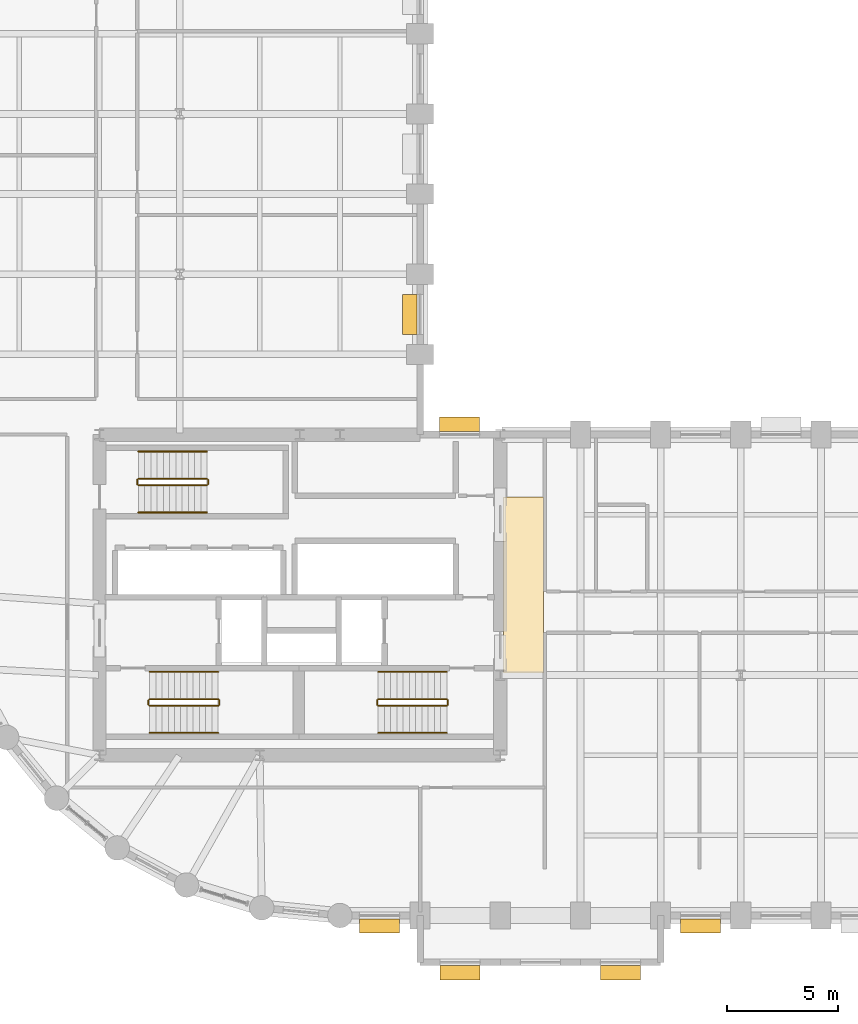
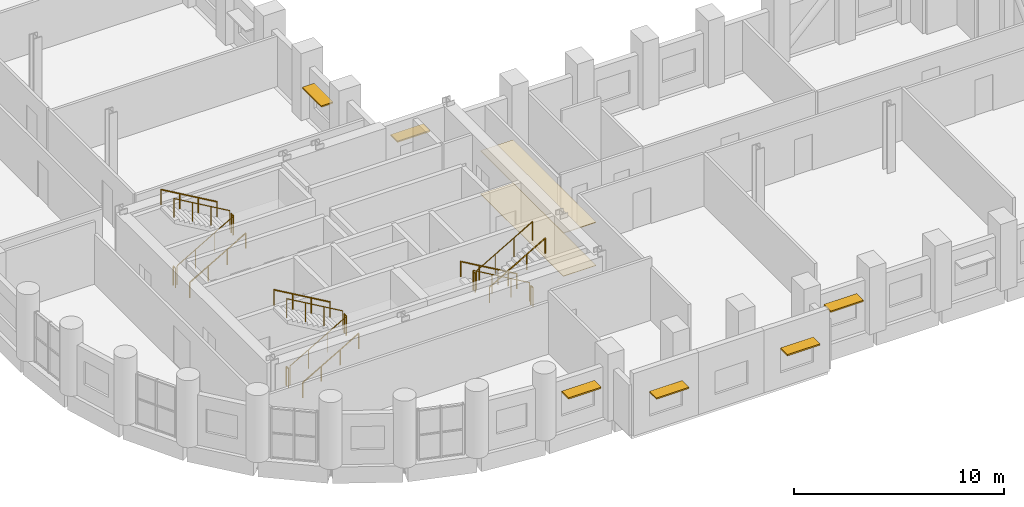
# One storey, part 13 of 14: 18 railings, 6 shading devices, 2 coverings.
"""IFC4 building model written with IfcOpenShell, lengths in metres."""

from ifc_helpers import new_model, si_unit, direction, frame, origin, origin_2d, place, context, subcontext, project, spatial, polyline, rectangle, circle, outline, extrude, material, layer, layer_set, type_object, element, save


model = new_model("IFC4")

# Units and contexts
model_context = context("Model", 3, precision=1e-05, world=origin(), true_north=direction((0.0, 1.0)))
body_context = subcontext(model_context, "Body", "Model", "MODEL_VIEW")
ifc_project = project(units=[si_unit("LENGTHUNIT", "METRE"), si_unit("AREAUNIT", "SQUARE_METRE"), si_unit("VOLUMEUNIT", "CUBIC_METRE"), si_unit("PLANEANGLEUNIT", "RADIAN"), si_unit("MASSUNIT", "GRAM", prefix="KILO")], contexts=[model_context])

# Site, building, storey
site_placement = place(None, origin())
site = spatial("IfcSite", under=ifc_project, at=site_placement, CompositionType="ELEMENT")
building_placement = place(site_placement, origin())
building = spatial("IfcBuilding", under=site, at=building_placement, Name="Solnavia Interchange Tower", CompositionType="ELEMENT")
storey_placement = place(building_placement, frame((0.0, 0.0, 63.0)))
storey = spatial("IfcBuildingStorey", under=building, at=storey_placement, Name="L15", CompositionType="ELEMENT", Elevation=63.0)

# Coverings
ifc_material_1 = material(Name="Perforated Mineral-Fibre & Gypsum Ceiling", Category="gypsum")
ifc_layer_1 = layer(ifc_material_1, 0.0400390625)
ifc_layer_set_1 = layer_set([ifc_layer_1], Name="Perforated Mineral-Fibre & Gypsum Ceiling")
covering_type_1 = type_object("IfcCoveringType", Name="Covering-Ceiling-Acoustic40", PredefinedType="CEILING", material=ifc_layer_set_1)
covering_1_placement = place(storey_placement, frame((0.0, 0.0, 2.5)))
element("IfcCovering", 1, at=covering_1_placement, inside=storey, type_object=covering_type_1, Name="CLG-L15-01 Circulation suspended acoustic ceiling", PredefinedType="CEILING", context=body_context, shape_type="SweptSolid", body=[
    extrude(outline(polyline([(32.550048828125, 14.5), (34.35009765625, 14.5), (34.35009765625, 22.39990234375), (32.550048828125, 22.39990234375), (32.550048828125, 14.5)])), origin(), (0.0, 0.0, 1.0), 0.0400390625),
])
ifc_material_2 = material(Name="Polished Alicante Stone Terrazzo", Category="masonry")
ifc_layer_2 = layer(ifc_material_2, 0.02490234375)
ifc_layer_set_2 = layer_set([ifc_layer_2], Name="Polished Alicante Stone Terrazzo")
covering_type_2 = type_object("IfcCoveringType", Name="Covering-Flooring-Terrazzo25", PredefinedType="FLOORING", material=ifc_layer_set_2)
covering_2_placement = place(storey_placement, origin())
element("IfcCovering", 2, at=covering_2_placement, inside=storey, type_object=covering_type_2, Name="FLR-L15-01 Circulation floor finish", PredefinedType="FLOORING", context=body_context, shape_type="SweptSolid", body=[
    extrude(outline(polyline([(32.550048828125, 14.5), (34.35009765625, 14.5), (34.35009765625, 22.39990234375), (32.550048828125, 22.39990234375), (32.550048828125, 14.5)])), origin(), (0.0, 0.0, 1.0), 0.02490234375),
])

# Railings
ifc_material_3 = material(Name="Painted Steel Balustrade", Category="steel")
railing_type_1 = type_object("IfcRailingType", Name="Railing-StairGuard-1100", PredefinedType="GUARDRAIL", material=ifc_material_3)
railing_1_placement = place(storey_placement, frame((16.64990234375, 13.02001953125, 0.16259765625)))
element("IfcRailing", 3, at=railing_1_placement, inside=storey, type_object=railing_type_1, Name="L15 ST-1 stair guard 1", PredefinedType="GUARDRAIL", context=body_context, shape_type="SweptSolid", body=[
    extrude(circle(Radius=0.02392578125, at=origin_2d()), frame((0.0, 0.0, 1.09619140625), z_axis=(0.864920483161, 0.0, 0.501908913857), x_axis=(0.0, 1.0, 0.0)), (0.0, 0.0, 1.0), 3.56103515625),
    extrude(circle(Radius=0.02099609375, at=origin_2d()), origin(), (0.0, 0.0, 1.0), 1.072021484375),
    extrude(circle(Radius=0.02099609375, at=origin_2d()), frame((1.026611328125, 0.0, 0.595703125)), (0.0, 0.0, 1.0), 1.072021484375),
    extrude(circle(Radius=0.02099609375, at=origin_2d()), frame((2.053466796875, 0.0, 1.191650390625)), (0.0, 0.0, 1.0), 1.072021484375),
    extrude(circle(Radius=0.02099609375, at=origin_2d()), frame((3.080078125, 0.0, 1.787353515625)), (0.0, 0.0, 1.0), 1.072021484375),
])
railing_2_placement = place(storey_placement, frame((19.780029296875, 13.070068359375, 1.949951171875)))
element("IfcRailing", 4, at=railing_2_placement, inside=storey, type_object=railing_type_1, Name="L15 ST-1 stair guard 2", PredefinedType="GUARDRAIL", context=body_context, shape_type="SweptSolid", body=[
    extrude(circle(Radius=0.02392578125, at=origin_2d()), frame((0.0, 0.0, 1.09619140625), z_axis=(0.0, 1.0, 0.0), x_axis=(-1.0, 0.0, 0.0)), (0.0, 0.0, 1.0), 0.199951171875),
    extrude(circle(Radius=0.02099609375, at=origin_2d()), origin(), (0.0, 0.0, 1.0), 1.072021484375),
    extrude(circle(Radius=0.02099609375, at=origin_2d()), frame((0.0, 0.199951171875, 0.0)), (0.0, 0.0, 1.0), 1.072021484375),
])
railing_3_placement = place(storey_placement, frame((19.72998046875, 13.320068359375, 2.112548828125)))
element("IfcRailing", 5, at=railing_3_placement, inside=storey, type_object=railing_type_1, Name="L15 ST-1 stair guard 3", PredefinedType="GUARDRAIL", context=body_context, shape_type="SweptSolid", body=[
    extrude(circle(Radius=0.02392578125, at=origin_2d()), frame((0.0, 0.0, 1.09619140625), z_axis=(-0.864920483161, 0.0, 0.501908913857), x_axis=(0.0, -1.0, 0.0)), (0.0, 0.0, 1.0), 3.56103515625),
    extrude(circle(Radius=0.02099609375, at=origin_2d()), origin(), (0.0, 0.0, 1.0), 1.072021484375),
    extrude(circle(Radius=0.02099609375, at=origin_2d()), frame((-1.026611328125, 0.0, 0.595703125)), (0.0, 0.0, 1.0), 1.072021484375),
    extrude(circle(Radius=0.02099609375, at=origin_2d()), frame((-2.053466796875, 0.0, 1.191650390625)), (0.0, 0.0, 1.0), 1.072021484375),
    extrude(circle(Radius=0.02099609375, at=origin_2d()), frame((-3.080078125, 0.0, 1.787353515625)), (0.0, 0.0, 1.0), 1.072021484375),
])
railing_4_placement = place(storey_placement, frame((16.60009765625, 13.070068359375, 0.0)))
element("IfcRailing", 6, at=railing_4_placement, inside=storey, type_object=railing_type_1, Name="L15 ST-1 stair guard 4", PredefinedType="GUARDRAIL", context=body_context, shape_type="SweptSolid", body=[
    extrude(circle(Radius=0.02392578125, at=origin_2d()), frame((0.0, 0.0, 1.09619140625), z_axis=(0.0, 1.0, 0.0), x_axis=(-1.0, 0.0, 0.0)), (0.0, 0.0, 1.0), 0.199951171875),
    extrude(circle(Radius=0.02099609375, at=origin_2d()), origin(), (0.0, 0.0, 1.0), 1.072021484375),
    extrude(circle(Radius=0.02099609375, at=origin_2d()), frame((0.0, 0.199951171875, 0.0)), (0.0, 0.0, 1.0), 1.072021484375),
])
railing_5_placement = place(storey_placement, frame((30.0, 13.320068359375, 0.16259765625)))
element("IfcRailing", 7, at=railing_5_placement, inside=storey, type_object=railing_type_1, Name="L15 ST-2 stair guard 1", PredefinedType="GUARDRAIL", context=body_context, shape_type="SweptSolid", body=[
    extrude(circle(Radius=0.02392578125, at=origin_2d()), frame((0.0, 0.0, 1.09619140625), z_axis=(-0.864920483161, 0.0, 0.501908913857), x_axis=(0.0, -1.0, 0.0)), (0.0, 0.0, 1.0), 3.56103515625),
    extrude(circle(Radius=0.02099609375, at=origin_2d()), origin(), (0.0, 0.0, 1.0), 1.072021484375),
    extrude(circle(Radius=0.02099609375, at=origin_2d()), frame((-1.026611328125, 0.0, 0.595703125)), (0.0, 0.0, 1.0), 1.072021484375),
    extrude(circle(Radius=0.02099609375, at=origin_2d()), frame((-2.053466796875, 0.0, 1.191650390625)), (0.0, 0.0, 1.0), 1.072021484375),
    extrude(circle(Radius=0.02099609375, at=origin_2d()), frame((-3.080078125, 0.0, 1.787353515625)), (0.0, 0.0, 1.0), 1.072021484375),
])
railing_6_placement = place(storey_placement, frame((26.8701171875, 13.27001953125, 1.949951171875)))
element("IfcRailing", 8, at=railing_6_placement, inside=storey, type_object=railing_type_1, Name="L15 ST-2 stair guard 2", PredefinedType="GUARDRAIL", context=body_context, shape_type="SweptSolid", body=[
    extrude(circle(Radius=0.02392578125, at=origin_2d()), frame((0.0, 0.0, 1.09619140625), z_axis=(0.0, -1.0, 0.0), x_axis=(1.0, 0.0, 0.0)), (0.0, 0.0, 1.0), 0.199951171875),
    extrude(circle(Radius=0.02099609375, at=origin_2d()), origin(), (0.0, 0.0, 1.0), 1.072021484375),
    extrude(circle(Radius=0.02099609375, at=origin_2d()), frame((0.0, -0.199951171875, 0.0)), (0.0, 0.0, 1.0), 1.072021484375),
])
railing_7_placement = place(storey_placement, frame((26.919921875, 13.02001953125, 2.112548828125)))
element("IfcRailing", 9, at=railing_7_placement, inside=storey, type_object=railing_type_1, Name="L15 ST-2 stair guard 3", PredefinedType="GUARDRAIL", context=body_context, shape_type="SweptSolid", body=[
    extrude(circle(Radius=0.02392578125, at=origin_2d()), frame((0.0, 0.0, 1.09619140625), z_axis=(0.864920483161, 0.0, 0.501908913857), x_axis=(0.0, 1.0, 0.0)), (0.0, 0.0, 1.0), 3.56103515625),
    extrude(circle(Radius=0.02099609375, at=origin_2d()), origin(), (0.0, 0.0, 1.0), 1.072021484375),
    extrude(circle(Radius=0.02099609375, at=origin_2d()), frame((1.026611328125, 0.0, 0.595703125)), (0.0, 0.0, 1.0), 1.072021484375),
    extrude(circle(Radius=0.02099609375, at=origin_2d()), frame((2.053466796875, 0.0, 1.191650390625)), (0.0, 0.0, 1.0), 1.072021484375),
    extrude(circle(Radius=0.02099609375, at=origin_2d()), frame((3.080078125, 0.0, 1.787353515625)), (0.0, 0.0, 1.0), 1.072021484375),
])
railing_8_placement = place(storey_placement, frame((30.050048828125, 13.27001953125, 0.0)))
element("IfcRailing", 10, at=railing_8_placement, inside=storey, type_object=railing_type_1, Name="L15 ST-2 stair guard 4", PredefinedType="GUARDRAIL", context=body_context, shape_type="SweptSolid", body=[
    extrude(circle(Radius=0.02392578125, at=origin_2d()), frame((0.0, 0.0, 1.09619140625), z_axis=(0.0, -1.0, 0.0), x_axis=(1.0, 0.0, 0.0)), (0.0, 0.0, 1.0), 0.199951171875),
    extrude(circle(Radius=0.02099609375, at=origin_2d()), origin(), (0.0, 0.0, 1.0), 1.072021484375),
    extrude(circle(Radius=0.02099609375, at=origin_2d()), frame((0.0, -0.199951171875, 0.0)), (0.0, 0.0, 1.0), 1.072021484375),
])
railing_9_placement = place(storey_placement, frame((16.14990234375, 22.919921875, 0.16259765625)))
element("IfcRailing", 11, at=railing_9_placement, inside=storey, type_object=railing_type_1, Name="L15 ST-3 stair guard 1", PredefinedType="GUARDRAIL", context=body_context, shape_type="SweptSolid", body=[
    extrude(circle(Radius=0.02392578125, at=origin_2d()), frame((0.0, 0.0, 1.09619140625), z_axis=(0.864920483161, 0.0, 0.501908913857), x_axis=(0.0, 1.0, 0.0)), (0.0, 0.0, 1.0), 3.56103515625),
    extrude(circle(Radius=0.02099609375, at=origin_2d()), origin(), (0.0, 0.0, 1.0), 1.072021484375),
    extrude(circle(Radius=0.02099609375, at=origin_2d()), frame((1.026611328125, 0.0, 0.595703125)), (0.0, 0.0, 1.0), 1.072021484375),
    extrude(circle(Radius=0.02099609375, at=origin_2d()), frame((2.053466796875, 0.0, 1.191650390625)), (0.0, 0.0, 1.0), 1.072021484375),
    extrude(circle(Radius=0.02099609375, at=origin_2d()), frame((3.080078125, 0.0, 1.787353515625)), (0.0, 0.0, 1.0), 1.072021484375),
])
railing_10_placement = place(storey_placement, frame((19.280029296875, 22.969970703125, 1.949951171875)))
element("IfcRailing", 12, at=railing_10_placement, inside=storey, type_object=railing_type_1, Name="L15 ST-3 stair guard 2", PredefinedType="GUARDRAIL", context=body_context, shape_type="SweptSolid", body=[
    extrude(circle(Radius=0.02392578125, at=origin_2d()), frame((0.0, 0.0, 1.09619140625), z_axis=(0.0, 1.0, 0.0), x_axis=(-1.0, 0.0, 0.0)), (0.0, 0.0, 1.0), 0.199951171875),
    extrude(circle(Radius=0.02099609375, at=origin_2d()), origin(), (0.0, 0.0, 1.0), 1.072021484375),
    extrude(circle(Radius=0.02099609375, at=origin_2d()), frame((0.0, 0.199951171875, 0.0)), (0.0, 0.0, 1.0), 1.072021484375),
])
railing_11_placement = place(storey_placement, frame((19.22998046875, 23.219970703125, 2.112548828125)))
element("IfcRailing", 13, at=railing_11_placement, inside=storey, type_object=railing_type_1, Name="L15 ST-3 stair guard 3", PredefinedType="GUARDRAIL", context=body_context, shape_type="SweptSolid", body=[
    extrude(circle(Radius=0.02392578125, at=origin_2d()), frame((0.0, 0.0, 1.09619140625), z_axis=(-0.864920483161, 0.0, 0.501908913857), x_axis=(0.0, -1.0, 0.0)), (0.0, 0.0, 1.0), 3.56103515625),
    extrude(circle(Radius=0.02099609375, at=origin_2d()), origin(), (0.0, 0.0, 1.0), 1.072021484375),
    extrude(circle(Radius=0.02099609375, at=origin_2d()), frame((-1.026611328125, 0.0, 0.595703125)), (0.0, 0.0, 1.0), 1.072021484375),
    extrude(circle(Radius=0.02099609375, at=origin_2d()), frame((-2.053466796875, 0.0, 1.191650390625)), (0.0, 0.0, 1.0), 1.072021484375),
    extrude(circle(Radius=0.02099609375, at=origin_2d()), frame((-3.080078125, 0.0, 1.787353515625)), (0.0, 0.0, 1.0), 1.072021484375),
])
railing_12_placement = place(storey_placement, frame((16.10009765625, 22.969970703125, 0.0)))
element("IfcRailing", 14, at=railing_12_placement, inside=storey, type_object=railing_type_1, Name="L15 ST-3 stair guard 4", PredefinedType="GUARDRAIL", context=body_context, shape_type="SweptSolid", body=[
    extrude(circle(Radius=0.02392578125, at=origin_2d()), frame((0.0, 0.0, 1.09619140625), z_axis=(0.0, 1.0, 0.0), x_axis=(-1.0, 0.0, 0.0)), (0.0, 0.0, 1.0), 0.199951171875),
    extrude(circle(Radius=0.02099609375, at=origin_2d()), origin(), (0.0, 0.0, 1.0), 1.072021484375),
    extrude(circle(Radius=0.02099609375, at=origin_2d()), frame((0.0, 0.199951171875, 0.0)), (0.0, 0.0, 1.0), 1.072021484375),
])
ifc_material_4 = material(Name="Brushed Stainless Steel", Category="steel")
railing_type_2 = type_object("IfcRailingType", Name="Railing-StairHandrail-900", PredefinedType="HANDRAIL", material=ifc_material_4)
railing_13_placement = place(storey_placement, frame((16.64990234375, 11.800048828125, 0.16259765625)))
element("IfcRailing", 15, at=railing_13_placement, inside=storey, type_object=railing_type_2, Name="L15 ST-1 stair handrail 1", PredefinedType="HANDRAIL", context=body_context, shape_type="SweptSolid", body=[
    extrude(circle(Radius=0.02392578125, at=origin_2d()), frame((0.0, 0.0, 0.8759765625), z_axis=(0.864920483161, 0.0, 0.501908913857), x_axis=(0.0, 1.0, 0.0)), (0.0, 0.0, 1.0), 3.56103515625),
    extrude(circle(Radius=0.02099609375, at=origin_2d()), origin(), (0.0, 0.0, 1.0), 0.851806640625),
    extrude(circle(Radius=0.02099609375, at=origin_2d()), frame((1.026611328125, 0.0, 0.595703125)), (0.0, 0.0, 1.0), 0.851806640625),
    extrude(circle(Radius=0.02099609375, at=origin_2d()), frame((2.053466796875, 0.0, 1.191650390625)), (0.0, 0.0, 1.0), 0.851806640625),
    extrude(circle(Radius=0.02099609375, at=origin_2d()), frame((3.080078125, 0.0, 1.787353515625)), (0.0, 0.0, 1.0), 0.851806640625),
])
for number, where, name in (
    (16, (19.72998046875, 14.5400390625, 2.112548828125), "L15 ST-1 stair handrail 2"),
    (17, (30.0, 14.5400390625, 0.16259765625), "L15 ST-2 stair handrail 1"),
):
    element("IfcRailing", number, at=place(storey_placement, frame(where)), inside=storey, type_object=railing_type_2, Name=name, PredefinedType="HANDRAIL", context=body_context, shape_type="SweptSolid", body=[
        extrude(circle(Radius=0.02392578125, at=origin_2d()), frame((0.0, 0.0, 0.8759765625), z_axis=(-0.864920483161, 0.0, 0.501908913857), x_axis=(0.0, -1.0, 0.0)), (0.0, 0.0, 1.0), 3.56103515625),
        extrude(circle(Radius=0.02099609375, at=origin_2d()), origin(), (0.0, 0.0, 1.0), 0.851806640625),
        extrude(circle(Radius=0.02099609375, at=origin_2d()), frame((-1.026611328125, 0.0, 0.595703125)), (0.0, 0.0, 1.0), 0.851806640625),
        extrude(circle(Radius=0.02099609375, at=origin_2d()), frame((-2.053466796875, 0.0, 1.191650390625)), (0.0, 0.0, 1.0), 0.851806640625),
        extrude(circle(Radius=0.02099609375, at=origin_2d()), frame((-3.080078125, 0.0, 1.787353515625)), (0.0, 0.0, 1.0), 0.851806640625),
    ])
for number, where, name in (
    (18, (26.919921875, 11.800048828125, 2.112548828125), "L15 ST-2 stair handrail 2"),
    (19, (16.14990234375, 21.699951171875, 0.16259765625), "L15 ST-3 stair handrail 1"),
):
    element("IfcRailing", number, at=place(storey_placement, frame(where)), inside=storey, type_object=railing_type_2, Name=name, PredefinedType="HANDRAIL", context=body_context, shape_type="SweptSolid", body=[
        extrude(circle(Radius=0.02392578125, at=origin_2d()), frame((0.0, 0.0, 0.8759765625), z_axis=(0.864920483161, 0.0, 0.501908913857), x_axis=(0.0, 1.0, 0.0)), (0.0, 0.0, 1.0), 3.56103515625),
        extrude(circle(Radius=0.02099609375, at=origin_2d()), origin(), (0.0, 0.0, 1.0), 0.851806640625),
        extrude(circle(Radius=0.02099609375, at=origin_2d()), frame((1.026611328125, 0.0, 0.595703125)), (0.0, 0.0, 1.0), 0.851806640625),
        extrude(circle(Radius=0.02099609375, at=origin_2d()), frame((2.053466796875, 0.0, 1.191650390625)), (0.0, 0.0, 1.0), 0.851806640625),
        extrude(circle(Radius=0.02099609375, at=origin_2d()), frame((3.080078125, 0.0, 1.787353515625)), (0.0, 0.0, 1.0), 0.851806640625),
    ])
railing_14_placement = place(storey_placement, frame((19.22998046875, 24.43994140625, 2.112548828125)))
element("IfcRailing", 20, at=railing_14_placement, inside=storey, type_object=railing_type_2, Name="L15 ST-3 stair handrail 2", PredefinedType="HANDRAIL", context=body_context, shape_type="SweptSolid", body=[
    extrude(circle(Radius=0.02392578125, at=origin_2d()), frame((0.0, 0.0, 0.8759765625), z_axis=(-0.864920483161, 0.0, 0.501908913857), x_axis=(0.0, -1.0, 0.0)), (0.0, 0.0, 1.0), 3.56103515625),
    extrude(circle(Radius=0.02099609375, at=origin_2d()), origin(), (0.0, 0.0, 1.0), 0.851806640625),
    extrude(circle(Radius=0.02099609375, at=origin_2d()), frame((-1.026611328125, 0.0, 0.595703125)), (0.0, 0.0, 1.0), 0.851806640625),
    extrude(circle(Radius=0.02099609375, at=origin_2d()), frame((-2.053466796875, 0.0, 1.191650390625)), (0.0, 0.0, 1.0), 0.851806640625),
    extrude(circle(Radius=0.02099609375, at=origin_2d()), frame((-3.080078125, 0.0, 1.787353515625)), (0.0, 0.0, 1.0), 0.851806640625),
])

# Shading devices
ifc_material_5 = material(Name="Anodised Aluminium Sunshade", Category="aluminium")
ifc_layer_3 = layer(ifc_material_5, 0.080078125)
ifc_layer_set_3 = layer_set([ifc_layer_3], Name="Anodised Aluminium Sunshade")
shading_device_type = type_object("IfcShadingDeviceType", Name="Sunshade-Band-650", PredefinedType="SHUTTER", material=ifc_layer_set_3)
for number, where, z_axis, x_axis, name in (
    (21, (26.97509765625, 3.1298828125, 2.219970703125), (0.0, 0.0, 1.0), (-1.0, 0.0, 0.0), "SHD-L15-01 Horizontal sunshade band"),
    (22, (30.60009765625, 1.030029296875, 2.219970703125), (0.0, 0.0, 1.0), (-1.0, 0.0, 0.0), "SHD-L15-03 Horizontal sunshade band"),
    (23, (37.800048828125, 1.030029296875, 2.219970703125), (0.0, 0.0, 1.0), (-1.0, 0.0, 0.0), "SHD-L15-05 Horizontal sunshade band"),
    (24, (41.39990234375, 3.1298828125, 2.219970703125), (0.0, 0.0, 1.0), (-1.0, 0.0, 0.0), "SHD-L15-07 Horizontal sunshade band"),
    (25, (30.577880859375, 25.669921875, 2.219970703125), (0.0, 0.0, 1.0), (1.0, 0.0, 0.0), "SHD-L15-31 Horizontal sunshade band"),
    (26, (28.330078125, 30.60009765625, 2.219970703125), (0.0, 0.0, 1.0), (0.0, 1.0, 0.0), "SHD-L15-33 Horizontal sunshade band"),
):
    element("IfcShadingDevice", number, at=place(storey_placement, frame(where, z_axis=z_axis, x_axis=x_axis)), inside=storey, type_object=shading_device_type, Name=name, PredefinedType="SHUTTER", context=body_context, shape_type="SweptSolid", body=[
        extrude(rectangle(XDim=1.800048828125, YDim=0.64990234375, at=origin_2d()), origin(), (0.0, 0.0, 1.0), 0.080078125),
    ])

save(model, "model.ifc")
